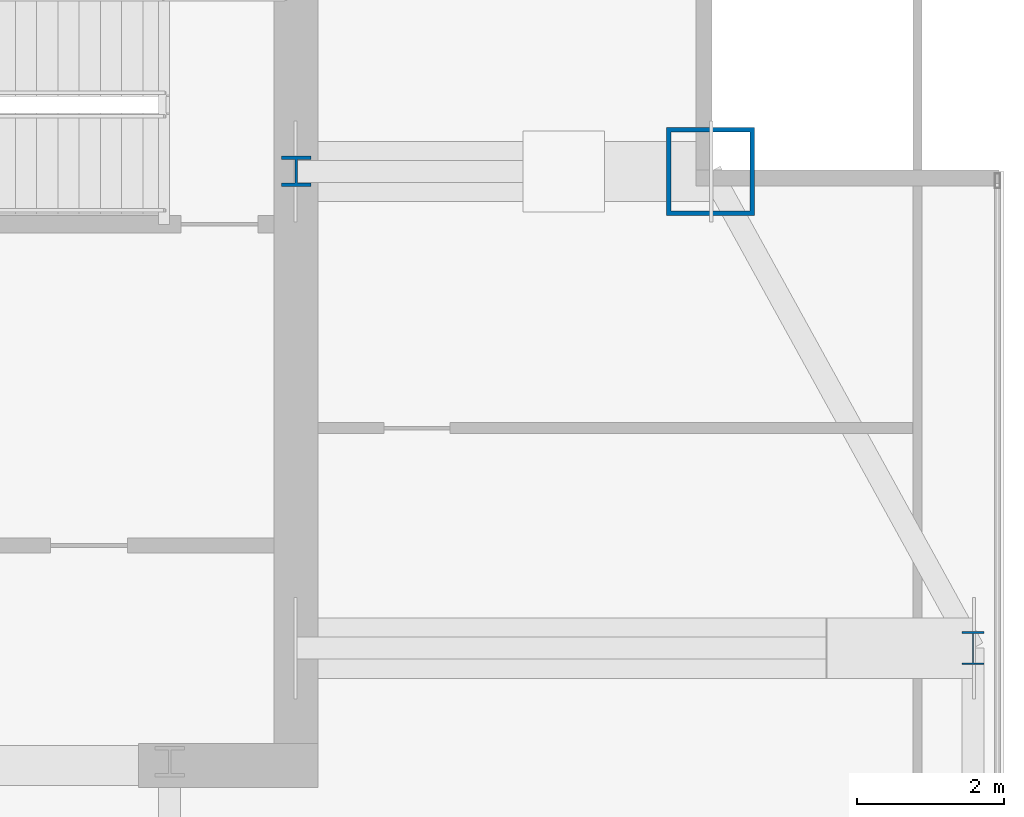
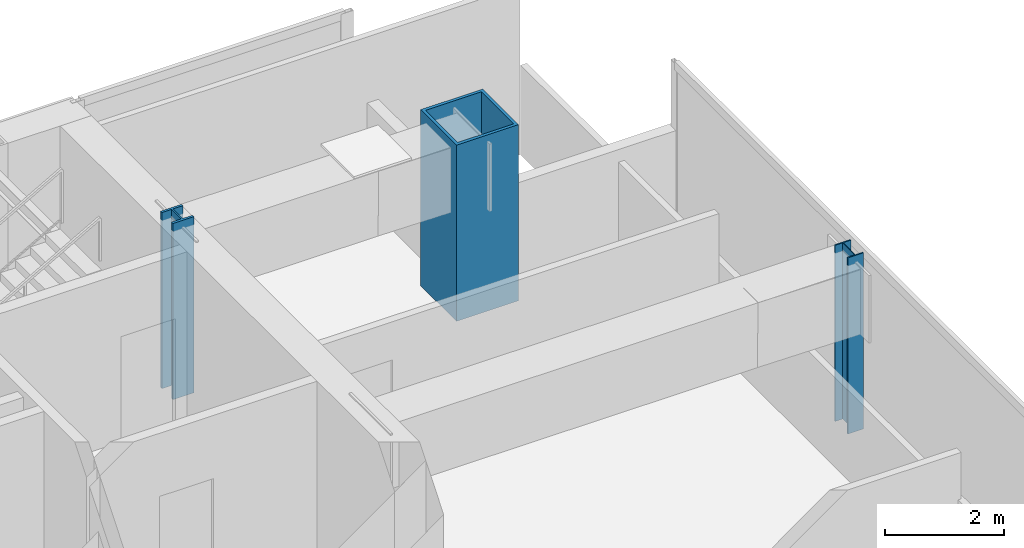
# One storey, part 4 of 26: 3 columns.
"""IFC4 building model written with IfcOpenShell, lengths in metres."""

from ifc_helpers import new_model, si_unit, direction, frame, origin, origin_2d, place, context, subcontext, project, spatial, hollow_rectangle, i_section, extrude, material, material_profile, profile_set, type_object, element, save


model = new_model("IFC4")

# Units and contexts
model_context = context("Model", 3, precision=1e-05, world=origin(), true_north=direction((0.0, 1.0)))
body_context = subcontext(model_context, "Body", "Model", "MODEL_VIEW")
ifc_project = project(units=[si_unit("LENGTHUNIT", "METRE"), si_unit("AREAUNIT", "SQUARE_METRE"), si_unit("VOLUMEUNIT", "CUBIC_METRE"), si_unit("PLANEANGLEUNIT", "RADIAN"), si_unit("MASSUNIT", "GRAM", prefix="KILO")], contexts=[model_context])

# Site, building, storey
site_placement = place(None, origin())
site = spatial("IfcSite", under=ifc_project, at=site_placement, CompositionType="ELEMENT")
building_placement = place(site_placement, origin())
building = spatial("IfcBuilding", under=site, at=building_placement, Name="Khoronbel Lancet Exchange", CompositionType="ELEMENT")
storey_placement = place(building_placement, frame((0.0, 0.0, 235.39990234375)))
storey = spatial("IfcBuildingStorey", under=building, at=storey_placement, Name="L60", CompositionType="ELEMENT", Elevation=235.39990234375)

# Columns
ifc_material_1 = material(Name="Steel S355", Category="steel")
ifc_material_profile_1 = material_profile(ifc_material_1, i_section(OverallWidth=0.406005859375, OverallDepth=0.416015625, WebThickness=0.02978515625, FlangeThickness=0.048095703125, at=origin_2d()), Name="HD 400x382")
ifc_profile_set_1 = profile_set([ifc_material_profile_1], Name="Steel S355")
column_type_1 = type_object("IfcColumnType", Name="COL-IC3", PredefinedType="COLUMN", material=ifc_profile_set_1)
column_1_placement = place(storey_placement, frame((56.39990234375, 49.699951171875, 0.0), z_axis=(0.0, 0.0, 1.0), x_axis=(1.0, 0.0, 0.0)))
element("IfcColumn", 1, at=column_1_placement, inside=storey, type_object=column_type_1, Name="Core-flank plumb transfer column CFE L60", PredefinedType="COLUMN", context=body_context, shape_type="SweptSolid", body=[
    extrude(i_section(OverallWidth=0.406005859375, OverallDepth=0.416015625, WebThickness=0.02978515625, FlangeThickness=0.048095703125, at=origin_2d()), origin(), (0.0, 0.0, 1.0), 3.60009765625),
])
ifc_material_profile_2 = material_profile(ifc_material_1, i_section(OverallWidth=0.300048828125, OverallDepth=0.449951171875, WebThickness=0.013916015625, FlangeThickness=0.02587890625, at=origin_2d()), Name="HEB 450")
ifc_profile_set_2 = profile_set([ifc_material_profile_2], Name="Steel S355")
column_type_2 = type_object("IfcColumnType", Name="COL-LC2", PredefinedType="COLUMN", material=ifc_profile_set_2)
column_2_placement = place(storey_placement, frame((65.6298828125, 43.199951171875, 0.0), z_axis=(0.0, 0.0, 1.0), x_axis=(1.0, 0.0, 0.0)))
element("IfcColumn", 2, at=column_2_placement, inside=storey, type_object=column_type_2, Name="Structural column EC-4 L60", PredefinedType="COLUMN", context=body_context, shape_type="SweptSolid", body=[
    extrude(i_section(OverallWidth=0.300048828125, OverallDepth=0.449951171875, WebThickness=0.013916015625, FlangeThickness=0.02587890625, at=origin_2d()), origin(), (0.0, 0.0, 1.0), 3.60009765625),
])
ifc_material_2 = material(Name="Steel S460", Category="steel")
ifc_material_profile_3 = material_profile(ifc_material_2, hollow_rectangle(XDim=1.199951171875, YDim=1.199951171875, WallThickness=0.06005859375, at=origin_2d()), Name="BOX 1200x1200x60")
ifc_profile_set_3 = profile_set([ifc_material_profile_3], Name="Steel S460")
column_type_3 = type_object("IfcColumnType", Name="COL-MC5", PredefinedType="COLUMN", material=ifc_profile_set_3)
column_3_placement = place(storey_placement, frame((62.050048828125, 49.699951171875, 0.0), z_axis=(0.0, 0.0, 1.0), x_axis=(1.0, 0.0, 0.0)))
element("IfcColumn", 3, at=column_3_placement, inside=storey, type_object=column_type_3, Name="Structural column MC-NE L60", PredefinedType="COLUMN", context=body_context, shape_type="SweptSolid", body=[
    extrude(hollow_rectangle(XDim=1.199951171875, YDim=1.199951171875, WallThickness=0.06005859375, at=origin_2d()), origin(), (0.0, 0.0, 1.0), 3.60009765625),
])

save(model, "model.ifc")
